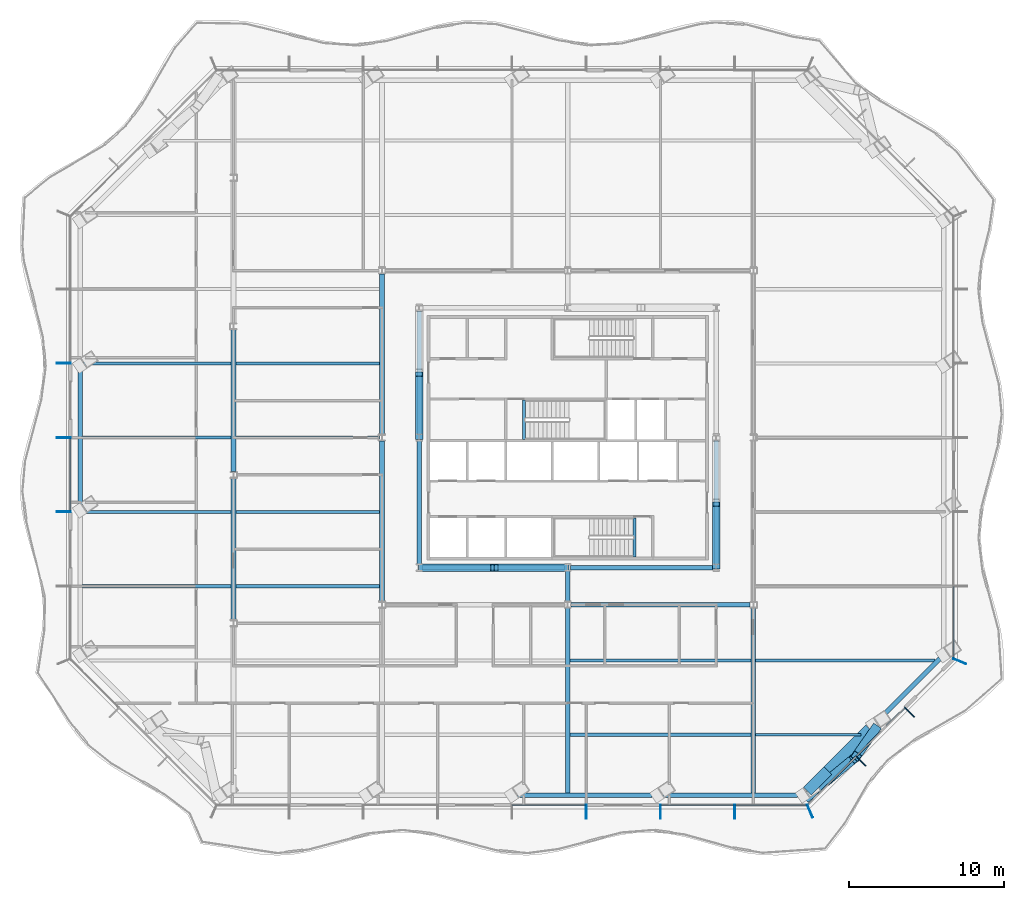
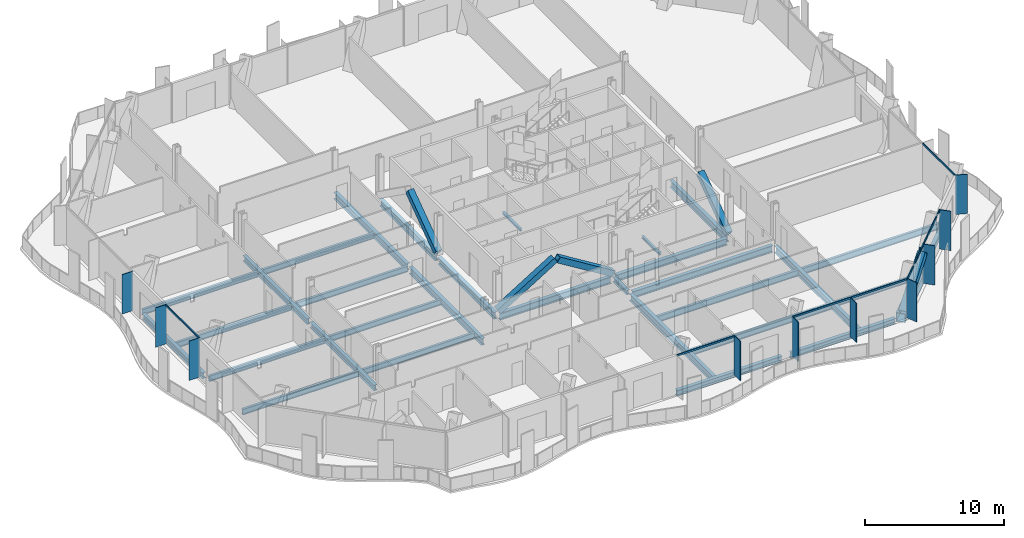
# One storey, part 2 of 20: 33 beams, 23 members, 4 elements without a shape of their own.
"""IFC4 building model written with IfcOpenShell, lengths in metres."""

from ifc_helpers import new_model, si_unit, direction, frame, origin, origin_2d, place, context, subcontext, project, spatial, rectangle, hollow_rectangle, i_section, extrude, material, material_profile, profile_set, type_object, element, aggregate, save


model = new_model("IFC4")

# Units and contexts
model_context = context("Model", 3, precision=1e-05, world=origin(), true_north=direction((0.0, 1.0)))
body_context = subcontext(model_context, "Body", "Model", "MODEL_VIEW")
ifc_project = project(units=[si_unit("LENGTHUNIT", "METRE"), si_unit("AREAUNIT", "SQUARE_METRE"), si_unit("VOLUMEUNIT", "CUBIC_METRE"), si_unit("PLANEANGLEUNIT", "RADIAN"), si_unit("MASSUNIT", "GRAM", prefix="KILO")], contexts=[model_context])

# Site, building, storey
site_placement = place(None, origin())
site = spatial("IfcSite", under=ifc_project, at=site_placement, CompositionType="ELEMENT")
building_placement = place(site_placement, origin())
building = spatial("IfcBuilding", under=site, at=building_placement, Name="Cairn Pilgrim Tower", CompositionType="ELEMENT")
storey_placement = place(building_placement, frame((0.0, 0.0, 101.39990234375)))
storey = spatial("IfcBuildingStorey", under=building, at=storey_placement, Name="L24", CompositionType="ELEMENT", Elevation=101.39990234375)

# Members
ifc_material_1 = material(Name="Structural steel S460M", Category="steel")
ifc_material_profile_1 = material_profile(ifc_material_1, hollow_rectangle(XDim=0.5, YDim=0.5, WallThickness=0.030029296875, at=origin_2d()), Name="BOX 500x500x30")
ifc_profile_set_1 = profile_set([ifc_material_profile_1], Name="Structural steel S460M")
member_type_1 = type_object("IfcMemberType", Name="BOX 500x500x30 BRACE", PredefinedType="BRACE", material=ifc_profile_set_1)
member_1_placement = place(storey_placement, frame((-2.356201171875, -6.0, 0.10009765625), z_axis=(0.850990224345, 0.0, 0.525181528683), x_axis=(0.0, 1.0, 0.0)))
element("IfcMember", 1, at=member_1_placement, inside=storey, type_object=member_type_1, Name="KB-1A", PredefinedType="BRACE", context=body_context, shape_type="SweptSolid", body=[
    extrude(hollow_rectangle(XDim=0.5, YDim=0.5, WallThickness=0.030029296875, at=origin_2d()), origin(), (0.0, 0.0, 1.0), 5.5263671875),
])
member_2_placement = place(storey_placement, frame((7.15625, -6.0, 0.10009765625), z_axis=(-0.851007515624, 0.0, 0.525153509321), x_axis=(0.0, -1.0, 0.0)))
element("IfcMember", 2, at=member_2_placement, inside=storey, type_object=member_type_1, Name="KB-1B", PredefinedType="BRACE", context=body_context, shape_type="SweptSolid", body=[
    extrude(hollow_rectangle(XDim=0.5, YDim=0.5, WallThickness=0.030029296875, at=origin_2d()), origin(), (0.0, 0.0, 1.0), 5.37646484375),
])
for number, where, z_axis, x_axis, name in (
    (3, (16.800048828125, -5.956298828125, 0.10009765625), (0.0, 0.814198726233, 0.580586284889), (-1.0, 0.0, 0.0), "KB-2A"),
    (4, (-2.39990234375, 2.443603515625, 0.10009765625), (0.0, 0.814198726233, 0.580586284889), (-1.0, 0.0, 0.0), "KB-4B"),
):
    element("IfcMember", number, at=place(storey_placement, frame(where, z_axis=z_axis, x_axis=x_axis)), inside=storey, type_object=member_type_1, Name=name, PredefinedType="BRACE", context=body_context, shape_type="SweptSolid", body=[
        extrude(hollow_rectangle(XDim=0.5, YDim=0.5, WallThickness=0.030029296875, at=origin_2d()), origin(), (0.0, 0.0, 1.0), 4.99658203125),
    ])
ifc_material_profile_2 = material_profile(ifc_material_1, hollow_rectangle(XDim=0.60009765625, YDim=0.60009765625, WallThickness=0.034912109375, at=origin_2d()), Name="BOX 600x600x35")
ifc_profile_set_2 = profile_set([ifc_material_profile_2], Name="Structural steel S460M")
member_type_2 = type_object("IfcMemberType", Name="BOX 600x600x35 BRACE", PredefinedType="BRACE", material=ifc_profile_set_2)
member_3_placement = place(storey_placement, frame((22.671142578125, -20.830810546875, 0.150146484375), z_axis=(0.638241628046, 0.524594909119, 0.563425066496), x_axis=(-0.634974285508, 0.772533272256, 0.0)))
element("IfcMember", 5, at=member_3_placement, inside=storey, type_object=member_type_2, Name="XB-SE1-SE2-1", PredefinedType="BRACE", context=body_context, shape_type="SweptSolid", body=[
    extrude(hollow_rectangle(XDim=0.60009765625, YDim=0.60009765625, WallThickness=0.034912109375, at=origin_2d()), origin(), (0.0, 0.0, 1.0), 4.721923828125),
])
member_4_placement = place(storey_placement, frame((27.094482421875, -16.40771484375, 0.150146484375), z_axis=(-0.361797572845, -0.518123711062, 0.77501634584), x_axis=(0.819892296649, -0.572517791772, 0.0)))
element("IfcMember", 6, at=member_4_placement, inside=storey, type_object=member_type_2, Name="XB-SE1-SE2-2", PredefinedType="BRACE", context=body_context, shape_type="SweptSolid", body=[
    extrude(hollow_rectangle(XDim=0.60009765625, YDim=0.60009765625, WallThickness=0.034912109375, at=origin_2d()), origin(), (0.0, 0.0, 1.0), 3.4326171875),
])

# Beams
ifc_material_2 = material(Name="Structural steel S355J2", Category="steel")
ifc_material_profile_3 = material_profile(ifc_material_2, hollow_rectangle(XDim=0.699951171875, YDim=0.800048828125, WallThickness=0.0400390625, at=origin_2d()), Name="BOX 700x800x40")
ifc_profile_set_3 = profile_set([ifc_material_profile_3], Name="Structural steel S355J2")
beam_type_1 = type_object("IfcBeamType", Name="BOX 700x800x40 RING GIRDER", PredefinedType="SPANDREL", material=ifc_profile_set_3)
beam_1_placement = place(storey_placement, frame((22.681884765625, -20.4453125, -0.5498046875), z_axis=(0.707106781187, 0.707106781187, 0.0), x_axis=(-0.707106781187, 0.707106781187, 0.0)))
element("IfcBeam", 7, at=beam_1_placement, inside=storey, type_object=beam_type_1, Name="RG1-SE1-SE2-1", PredefinedType="SPANDREL", context=body_context, shape_type="SweptSolid", body=[
    extrude(hollow_rectangle(XDim=0.699951171875, YDim=0.800048828125, WallThickness=0.0400390625, at=origin_2d()), origin(), (0.0, 0.0, 1.0), 1.88525390625),
])
beam_2_placement = place(storey_placement, frame((24.014892578125, -19.1123046875, -0.5498046875), z_axis=(0.707106781187, 0.707106781187, 0.0), x_axis=(-0.707106781187, 0.707106781187, 0.0)))
element("IfcBeam", 8, at=beam_2_placement, inside=storey, type_object=beam_type_1, Name="RG1-SE1-SE2-2", PredefinedType="SPANDREL", context=body_context, shape_type="SweptSolid", body=[
    extrude(hollow_rectangle(XDim=0.699951171875, YDim=0.800048828125, WallThickness=0.0400390625, at=origin_2d()), origin(), (0.0, 0.0, 1.0), 3.81005859375),
])

# Curtain wall, members
ifc_material_3 = material(Name="Aluminium alloy 6063-T6 bronze anodised with Bronze tinted laminated low-E glass 8+16+8.8", Category="aluminium")
curtain_wall_type_1 = type_object("IfcCurtainWallType", Name="TOWER STICK CURTAIN WALL NS", PredefinedType="NOTDEFINED", material=ifc_material_3)
curtain_wall_1_placement = place(storey_placement, origin())
curtain_wall_1 = element("IfcCurtainWall", 9, at=curtain_wall_1_placement, inside=storey, type_object=curtain_wall_type_1, Name="Tower Stick Curtain Wall Ns S", PredefinedType="NOTDEFINED")
ifc_material_4 = material(Name="Aluminium alloy 6063-T6 bronze anodised", Category="aluminium")
ifc_material_profile_4 = material_profile(ifc_material_4, rectangle(XDim=0.89990234375, YDim=0.06005859375, at=origin_2d()), Name="FIN MULLION 60x900 BRONZE")
ifc_profile_set_4 = profile_set([ifc_material_profile_4], Name="Aluminium alloy 6063-T6 bronze anodised")
member_type_3 = type_object("IfcMemberType", Name="FIN MULLION 60x900 BRONZE", PredefinedType="MULLION", material=ifc_profile_set_4)
member_5_placement = place(storey_placement, frame((8.39990234375, -21.77001953125, 0.0), z_axis=(0.0, 0.0, 1.0), x_axis=(0.0, -1.0, 0.0)))
member_5 = element("IfcMember", 10, at=member_5_placement, type_object=member_type_3, Name="Fin mullion S6", PredefinedType="MULLION", context=body_context, shape_type="SweptSolid", body=[
    extrude(rectangle(XDim=0.89990234375, YDim=0.06005859375, at=origin_2d()), origin(), (0.0, 0.0, 1.0), 3.4501953125),
])
member_6_placement = place(storey_placement, frame((13.199951171875, -21.77001953125, 0.0), z_axis=(0.0, 0.0, 1.0), x_axis=(0.0, -1.0, 0.0)))
member_6 = element("IfcMember", 11, at=member_6_placement, type_object=member_type_3, Name="Fin mullion S7", PredefinedType="MULLION", context=body_context, shape_type="SweptSolid", body=[
    extrude(rectangle(XDim=0.89990234375, YDim=0.06005859375, at=origin_2d()), origin(), (0.0, 0.0, 1.0), 3.4501953125),
])
member_7_placement = place(storey_placement, frame((18.0, -21.77001953125, 0.0), z_axis=(0.0, 0.0, 1.0), x_axis=(0.0, -1.0, 0.0)))
member_7 = element("IfcMember", 12, at=member_7_placement, type_object=member_type_3, Name="Fin mullion S8", PredefinedType="MULLION", context=body_context, shape_type="SweptSolid", body=[
    extrude(rectangle(XDim=0.89990234375, YDim=0.06005859375, at=origin_2d()), origin(), (0.0, 0.0, 1.0), 3.4501953125),
])

curtain_wall_type_2 = type_object("IfcCurtainWallType", Name="CHAMFER CORNER CURTAIN WALL", PredefinedType="NOTDEFINED", material=ifc_material_3)
curtain_wall_2_placement = place(storey_placement, origin())
curtain_wall_2 = element("IfcCurtainWall", 13, at=curtain_wall_2_placement, inside=storey, type_object=curtain_wall_type_2, Name="Chamfer Corner Curtain Wall SE", PredefinedType="NOTDEFINED")
member_8_placement = place(storey_placement, frame((22.857177734375, -21.738037109375, 0.0), z_axis=(0.0, 0.0, 1.0), x_axis=(0.382683432365, -0.923879532511, 0.0)))
member_8 = element("IfcMember", 14, at=member_8_placement, type_object=member_type_3, Name="Fin mullion SE1", PredefinedType="MULLION", context=body_context, shape_type="SweptSolid", body=[
    extrude(rectangle(XDim=0.89990234375, YDim=0.06005859375, at=origin_2d()), origin(), (0.0, 0.0, 1.0), 3.4501953125),
])
member_9_placement = place(storey_placement, frame((26.14453125, -18.495849609375, 0.0), z_axis=(0.0, 0.0, 1.0), x_axis=(0.707106781187, -0.707106781187, 0.0)))
member_9 = element("IfcMember", 15, at=member_9_placement, type_object=member_type_3, Name="Fin mullion SE2", PredefinedType="MULLION", context=body_context, shape_type="SweptSolid", body=[
    extrude(rectangle(XDim=0.89990234375, YDim=0.06005859375, at=origin_2d()), origin(), (0.0, 0.0, 1.0), 3.4501953125),
])
member_10_placement = place(storey_placement, frame((29.2958984375, -15.3447265625, 0.0), z_axis=(0.0, 0.0, 1.0), x_axis=(0.707106781187, -0.707106781187, 0.0)))
member_10 = element("IfcMember", 16, at=member_10_placement, type_object=member_type_3, Name="Fin mullion SE3", PredefinedType="MULLION", context=body_context, shape_type="SweptSolid", body=[
    extrude(rectangle(XDim=0.89990234375, YDim=0.06005859375, at=origin_2d()), origin(), (0.0, 0.0, 1.0), 3.4501953125),
])

# Curtain wall, member
curtain_wall_type_3 = type_object("IfcCurtainWallType", Name="TOWER STICK CURTAIN WALL EW", PredefinedType="NOTDEFINED", material=ifc_material_3)
curtain_wall_3_placement = place(storey_placement, origin())
curtain_wall_3 = element("IfcCurtainWall", 17, at=curtain_wall_3_placement, inside=storey, type_object=curtain_wall_type_3, Name="Tower Stick Curtain Wall Ew E", PredefinedType="NOTDEFINED")
member_11_placement = place(storey_placement, frame((32.5380859375, -12.05712890625, 0.0), z_axis=(0.0, 0.0, 1.0), x_axis=(0.923879532511, -0.382683432365, 0.0)))
member_11 = element("IfcMember", 18, at=member_11_placement, type_object=member_type_3, Name="Fin mullion E1", PredefinedType="MULLION", context=body_context, shape_type="SweptSolid", body=[
    extrude(rectangle(XDim=0.89990234375, YDim=0.06005859375, at=origin_2d()), origin(), (0.0, 0.0, 1.0), 3.4501953125),
])

# Curtain wall, members
curtain_wall_4_placement = place(storey_placement, origin())
curtain_wall_4 = element("IfcCurtainWall", 19, at=curtain_wall_4_placement, inside=storey, type_object=curtain_wall_type_3, Name="Tower Stick Curtain Wall Ew W", PredefinedType="NOTDEFINED")
member_12_placement = place(storey_placement, frame((-25.3701171875, 7.199951171875, 0.0), z_axis=(0.0, 0.0, 1.0), x_axis=(-1.0, 0.0, 0.0)))
member_12 = element("IfcMember", 20, at=member_12_placement, type_object=member_type_3, Name="Fin mullion W3", PredefinedType="MULLION", context=body_context, shape_type="SweptSolid", body=[
    extrude(rectangle(XDim=0.89990234375, YDim=0.06005859375, at=origin_2d()), origin(), (0.0, 0.0, 1.0), 3.4501953125),
])
member_13_placement = place(storey_placement, frame((-25.3701171875, 2.39990234375, 0.0), z_axis=(0.0, 0.0, 1.0), x_axis=(-1.0, 0.0, 0.0)))
member_13 = element("IfcMember", 21, at=member_13_placement, type_object=member_type_3, Name="Fin mullion W4", PredefinedType="MULLION", context=body_context, shape_type="SweptSolid", body=[
    extrude(rectangle(XDim=0.89990234375, YDim=0.06005859375, at=origin_2d()), origin(), (0.0, 0.0, 1.0), 3.4501953125),
])
member_14_placement = place(storey_placement, frame((-25.3701171875, -2.39990234375, 0.0), z_axis=(0.0, 0.0, 1.0), x_axis=(-1.0, 0.0, 0.0)))
member_14 = element("IfcMember", 22, at=member_14_placement, type_object=member_type_3, Name="Fin mullion W5", PredefinedType="MULLION", context=body_context, shape_type="SweptSolid", body=[
    extrude(rectangle(XDim=0.89990234375, YDim=0.06005859375, at=origin_2d()), origin(), (0.0, 0.0, 1.0), 3.4501953125),
])

# Beams
ifc_material_profile_5 = material_profile(ifc_material_2, i_section(OverallWidth=0.300048828125, OverallDepth=0.39990234375, WebThickness=0.013427734375, FlangeThickness=0.02392578125, FilletRadius=0.027099609375, at=origin_2d()), Name="HEB 400")
ifc_profile_set_5 = profile_set([ifc_material_profile_5], Name="Structural steel S355J2")
beam_type_2 = type_object("IfcBeamType", Name="HEB 400 GIRDER", PredefinedType="BEAM", material=ifc_profile_set_5)
beam_3_placement = place(storey_placement, frame((7.199951171875, -8.195556640625, -0.349853515625), z_axis=(0.0, 1.0, 0.0), x_axis=(-1.0, 0.0, 0.0)))
element("IfcBeam", 23, at=beam_3_placement, inside=storey, type_object=beam_type_2, Name="PG3-E1", PredefinedType="BEAM", context=body_context, shape_type="SweptSolid", body=[
    extrude(i_section(OverallWidth=0.300048828125, OverallDepth=0.39990234375, WebThickness=0.013427734375, FlangeThickness=0.02392578125, FilletRadius=0.027099609375, at=origin_2d()), origin(), (0.0, 0.0, 1.0), 1.97705078125),
])
ifc_material_profile_6 = material_profile(ifc_material_2, i_section(OverallWidth=0.300048828125, OverallDepth=0.5, WebThickness=0.014404296875, FlangeThickness=0.028076171875, FilletRadius=0.027099609375, at=origin_2d()), Name="HEB 500")
ifc_profile_set_6 = profile_set([ifc_material_profile_6], Name="Structural steel S355J2")
beam_type_3 = type_object("IfcBeamType", Name="HEB 500 GIRDER", PredefinedType="BEAM", material=ifc_profile_set_6)
for number, where, z_axis, x_axis, name in (
    (24, (-14.39990234375, -9.3955078125, -0.39990234375), (0.0, 1.0, 0.0), (-1.0, 0.0, 0.0), "PG1-2"),
    (25, (-14.39990234375, 0.20458984375, -0.39990234375), (0.0, 1.0, 0.0), (-1.0, 0.0, 0.0), "PG1-3"),
):
    element("IfcBeam", number, at=place(storey_placement, frame(where, z_axis=z_axis, x_axis=x_axis)), inside=storey, type_object=beam_type_3, Name=name, PredefinedType="BEAM", context=body_context, shape_type="SweptSolid", body=[
        extrude(i_section(OverallWidth=0.300048828125, OverallDepth=0.5, WebThickness=0.014404296875, FlangeThickness=0.028076171875, FilletRadius=0.027099609375, at=origin_2d()), origin(), (0.0, 0.0, 1.0), 9.19091796875),
    ])
ifc_material_profile_7 = material_profile(ifc_material_2, i_section(OverallWidth=0.300048828125, OverallDepth=0.5, WebThickness=0.014404296875, FlangeThickness=0.028076171875, FilletRadius=0.027099609375, at=origin_2d()), Name="HEB 500")
ifc_profile_set_7 = profile_set([ifc_material_profile_7], Name="Structural steel S355J2")
beam_type_4 = type_object("IfcBeamType", Name="HEB 500 RING GIRDER", PredefinedType="SPANDREL", material=ifc_profile_set_7)
for number, where, z_axis, x_axis, name in (
    (26, (3.9599609375, -20.699951171875, -0.39990234375), (1.0, 0.0, 0.0), (0.0, 1.0, 0.0), "RG1-S3-S4"),
    (27, (13.37353515625, -20.699951171875, -0.39990234375), (1.0, 0.0, 0.0), (0.0, 1.0, 0.0), "RG1-S4-SE1"),
):
    element("IfcBeam", number, at=place(storey_placement, frame(where, z_axis=z_axis, x_axis=x_axis)), inside=storey, type_object=beam_type_4, Name=name, PredefinedType="SPANDREL", context=body_context, shape_type="SweptSolid", body=[
        extrude(i_section(OverallWidth=0.300048828125, OverallDepth=0.5, WebThickness=0.014404296875, FlangeThickness=0.028076171875, FilletRadius=0.027099609375, at=origin_2d()), origin(), (0.0, 0.0, 1.0), 8.693603515625),
    ])
beam_4_placement = place(storey_placement, frame((27.21826171875, -15.908935546875, -0.39990234375), z_axis=(0.707106781187, 0.707106781187, 0.0), x_axis=(-0.707106781187, 0.707106781187, 0.0)))
element("IfcBeam", 28, at=beam_4_placement, inside=storey, type_object=beam_type_4, Name="RG1-SE2-E1", PredefinedType="SPANDREL", context=body_context, shape_type="SweptSolid", body=[
    extrude(i_section(OverallWidth=0.300048828125, OverallDepth=0.5, WebThickness=0.014404296875, FlangeThickness=0.028076171875, FilletRadius=0.027099609375, at=origin_2d()), origin(), (0.0, 0.0, 1.0), 5.695068359375),
])
beam_5_placement = place(storey_placement, frame((-24.300048828125, 6.7158203125, -0.39990234375), z_axis=(0.0, -1.0, 0.0), x_axis=(1.0, 0.0, 0.0)))
element("IfcBeam", 29, at=beam_5_placement, inside=storey, type_object=beam_type_4, Name="RG1-W2-W3", PredefinedType="SPANDREL", context=body_context, shape_type="SweptSolid", body=[
    extrude(i_section(OverallWidth=0.300048828125, OverallDepth=0.5, WebThickness=0.014404296875, FlangeThickness=0.028076171875, FilletRadius=0.027099609375, at=origin_2d()), origin(), (0.0, 0.0, 1.0), 8.631591796875),
])
ifc_material_profile_8 = material_profile(ifc_material_2, i_section(OverallWidth=0.300048828125, OverallDepth=0.60009765625, WebThickness=0.015380859375, FlangeThickness=0.030029296875, FilletRadius=0.027099609375, at=origin_2d()), Name="HEB 600")
ifc_profile_set_8 = profile_set([ifc_material_profile_8], Name="Structural steel S355J2")
beam_type_5 = type_object("IfcBeamType", Name="HEB 600 CORE BEAM", PredefinedType="BEAM", material=ifc_profile_set_8)
beam_6_placement = place(storey_placement, frame((-2.203369140625, -6.0, -0.449951171875), z_axis=(1.0, 0.0, 0.0), x_axis=(0.0, 1.0, 0.0)))
element("IfcBeam", 30, at=beam_6_placement, inside=storey, type_object=beam_type_5, Name="CB-1", PredefinedType="BEAM", context=body_context, shape_type="SweptSolid", body=[
    extrude(i_section(OverallWidth=0.300048828125, OverallDepth=0.60009765625, WebThickness=0.015380859375, FlangeThickness=0.030029296875, FilletRadius=0.027099609375, at=origin_2d()), origin(), (0.0, 0.0, 1.0), 9.206787109375),
])
beam_7_placement = place(storey_placement, frame((7.396728515625, -6.0, -0.449951171875), z_axis=(1.0, 0.0, 0.0), x_axis=(0.0, 1.0, 0.0)))
element("IfcBeam", 31, at=beam_7_placement, inside=storey, type_object=beam_type_5, Name="CB-2", PredefinedType="BEAM", context=body_context, shape_type="SweptSolid", body=[
    extrude(i_section(OverallWidth=0.300048828125, OverallDepth=0.60009765625, WebThickness=0.015380859375, FlangeThickness=0.030029296875, FilletRadius=0.027099609375, at=origin_2d()), origin(), (0.0, 0.0, 1.0), 9.20654296875),
])
for number, where, z_axis, x_axis, name in (
    (32, (16.800048828125, -5.803466796875, -0.449951171875), (0.0, 1.0, 0.0), (-1.0, 0.0, 0.0), "CB-3"),
    (33, (-2.39990234375, 10.603515625, -0.449951171875), (0.0, -1.0, 0.0), (1.0, 0.0, 0.0), "CB-7"),
    (34, (-2.39990234375, 2.203369140625, -0.449951171875), (0.0, -1.0, 0.0), (1.0, 0.0, 0.0), "CB-8"),
):
    element("IfcBeam", number, at=place(storey_placement, frame(where, z_axis=z_axis, x_axis=x_axis)), inside=storey, type_object=beam_type_5, Name=name, PredefinedType="BEAM", context=body_context, shape_type="SweptSolid", body=[
        extrude(i_section(OverallWidth=0.300048828125, OverallDepth=0.60009765625, WebThickness=0.015380859375, FlangeThickness=0.030029296875, FilletRadius=0.027099609375, at=origin_2d()), origin(), (0.0, 0.0, 1.0), 8.0068359375),
    ])
ifc_material_profile_9 = material_profile(ifc_material_2, i_section(OverallWidth=0.300048828125, OverallDepth=0.60009765625, WebThickness=0.015380859375, FlangeThickness=0.030029296875, FilletRadius=0.027099609375, at=origin_2d()), Name="HEB 600")
ifc_profile_set_9 = profile_set([ifc_material_profile_9], Name="Structural steel S355J2")
beam_type_6 = type_object("IfcBeamType", Name="HEB 600 GIRDER", PredefinedType="BEAM", material=ifc_profile_set_9)
for number, where, z_axis, x_axis, name in (
    (35, (-4.800048828125, -8.195556640625, -0.449951171875), (0.0, 1.0, 0.0), (-1.0, 0.0, 0.0), "PG2-2"),
    (36, (-4.800048828125, 2.6044921875, -0.449951171875), (0.0, 1.0, 0.0), (-1.0, 0.0, 0.0), "PG2-3"),
):
    element("IfcBeam", number, at=place(storey_placement, frame(where, z_axis=z_axis, x_axis=x_axis)), inside=storey, type_object=beam_type_6, Name=name, PredefinedType="BEAM", context=body_context, shape_type="SweptSolid", body=[
        extrude(i_section(OverallWidth=0.300048828125, OverallDepth=0.60009765625, WebThickness=0.015380859375, FlangeThickness=0.030029296875, FilletRadius=0.027099609375, at=origin_2d()), origin(), (0.0, 0.0, 1.0), 10.39111328125),
    ])
for number, where, z_axis, x_axis, name in (
    (37, (7.199951171875, -20.580078125, -0.449951171875), (0.0, 1.0, 0.0), (-1.0, 0.0, 0.0), "PG3-1"),
    (38, (19.199951171875, -20.580078125, -0.449951171875), (0.0, 1.0, 0.0), (-1.0, 0.0, 0.0), "PG4-1"),
):
    element("IfcBeam", number, at=place(storey_placement, frame(where, z_axis=z_axis, x_axis=x_axis)), inside=storey, type_object=beam_type_6, Name=name, PredefinedType="BEAM", context=body_context, shape_type="SweptSolid", body=[
        extrude(i_section(OverallWidth=0.300048828125, OverallDepth=0.60009765625, WebThickness=0.015380859375, FlangeThickness=0.030029296875, FilletRadius=0.027099609375, at=origin_2d()), origin(), (0.0, 0.0, 1.0), 11.9755859375),
    ])
ifc_material_profile_10 = material_profile(ifc_material_2, i_section(OverallWidth=0.300048828125, OverallDepth=0.60009765625, WebThickness=0.015380859375, FlangeThickness=0.030029296875, FilletRadius=0.027099609375, at=origin_2d()), Name="HEB 600")
ifc_profile_set_10 = profile_set([ifc_material_profile_10], Name="Structural steel S355J2")
beam_type_7 = type_object("IfcBeamType", Name="HEB 600 INNER GIRDER", PredefinedType="BEAM", material=ifc_profile_set_10)
beam_8_placement = place(storey_placement, frame((7.404541015625, -8.39990234375, -0.449951171875), z_axis=(1.0, 0.0, 0.0), x_axis=(0.0, 1.0, 0.0)))
element("IfcBeam", 39, at=beam_8_placement, inside=storey, type_object=beam_type_7, Name="IG1-2", PredefinedType="BEAM", context=body_context, shape_type="SweptSolid", body=[
    extrude(i_section(OverallWidth=0.300048828125, OverallDepth=0.60009765625, WebThickness=0.015380859375, FlangeThickness=0.030029296875, FilletRadius=0.027099609375, at=origin_2d()), origin(), (0.0, 0.0, 1.0), 11.591064453125),
])
ifc_material_profile_11 = material_profile(ifc_material_2, i_section(OverallWidth=0.18994140625, OverallDepth=0.449951171875, WebThickness=0.009521484375, FlangeThickness=0.0146484375, FilletRadius=0.02099609375, at=origin_2d()), Name="IPE 450")
ifc_profile_set_11 = profile_set([ifc_material_profile_11], Name="Structural steel S355J2")
beam_type_8 = type_object("IfcBeamType", Name="IPE 450 SECONDARY BEAM", PredefinedType="JOIST", material=ifc_profile_set_11)
beam_9_placement = place(storey_placement, frame((19.35009765625, -16.800048828125, -0.375), z_axis=(1.0, 0.0, 0.0), x_axis=(0.0, 1.0, 0.0)))
element("IfcBeam", 40, at=beam_9_placement, inside=storey, type_object=beam_type_8, Name="SB1-5", PredefinedType="JOIST", context=body_context, shape_type="SweptSolid", body=[
    extrude(i_section(OverallWidth=0.18994140625, OverallDepth=0.449951171875, WebThickness=0.009521484375, FlangeThickness=0.0146484375, FilletRadius=0.02099609375, at=origin_2d()), origin(), (0.0, 0.0, 1.0), 6.794921875),
])
ifc_material_profile_12 = material_profile(ifc_material_2, i_section(OverallWidth=0.199951171875, OverallDepth=0.5, WebThickness=0.01025390625, FlangeThickness=0.01611328125, FilletRadius=0.02099609375, at=origin_2d()), Name="IPE 500")
ifc_profile_set_12 = profile_set([ifc_material_profile_12], Name="Structural steel S355J2")
beam_type_9 = type_object("IfcBeamType", Name="IPE 500 SECONDARY BEAM", PredefinedType="JOIST", material=ifc_profile_set_12)
beam_10_placement = place(storey_placement, frame((-24.179931640625, -7.199951171875, -0.39990234375), z_axis=(1.0, 0.0, 0.0), x_axis=(0.0, 1.0, 0.0)))
element("IfcBeam", 41, at=beam_10_placement, inside=storey, type_object=beam_type_9, Name="SB3-1", PredefinedType="JOIST", context=body_context, shape_type="SweptSolid", body=[
    extrude(i_section(OverallWidth=0.199951171875, OverallDepth=0.5, WebThickness=0.01025390625, FlangeThickness=0.01611328125, FilletRadius=0.02099609375, at=origin_2d()), origin(), (0.0, 0.0, 1.0), 9.6298828125),
])
beam_11_placement = place(storey_placement, frame((-14.25, -7.199951171875, -0.39990234375), z_axis=(1.0, 0.0, 0.0), x_axis=(0.0, 1.0, 0.0)))
element("IfcBeam", 42, at=beam_11_placement, inside=storey, type_object=beam_type_9, Name="SB3-2", PredefinedType="JOIST", context=body_context, shape_type="SweptSolid", body=[
    extrude(i_section(OverallWidth=0.199951171875, OverallDepth=0.5, WebThickness=0.01025390625, FlangeThickness=0.01611328125, FilletRadius=0.02099609375, at=origin_2d()), origin(), (0.0, 0.0, 1.0), 9.300048828125),
])
beam_12_placement = place(storey_placement, frame((-24.179931640625, -2.39990234375, -0.39990234375), z_axis=(1.0, 0.0, 0.0), x_axis=(0.0, 1.0, 0.0)))
element("IfcBeam", 43, at=beam_12_placement, inside=storey, type_object=beam_type_9, Name="SB4-1", PredefinedType="JOIST", context=body_context, shape_type="SweptSolid", body=[
    extrude(i_section(OverallWidth=0.199951171875, OverallDepth=0.5, WebThickness=0.01025390625, FlangeThickness=0.01611328125, FilletRadius=0.02099609375, at=origin_2d()), origin(), (0.0, 0.0, 1.0), 9.6298828125),
])
beam_13_placement = place(storey_placement, frame((-14.25, -2.39990234375, -0.39990234375), z_axis=(1.0, 0.0, 0.0), x_axis=(0.0, 1.0, 0.0)))
element("IfcBeam", 44, at=beam_13_placement, inside=storey, type_object=beam_type_9, Name="SB4-2", PredefinedType="JOIST", context=body_context, shape_type="SweptSolid", body=[
    extrude(i_section(OverallWidth=0.199951171875, OverallDepth=0.5, WebThickness=0.01025390625, FlangeThickness=0.01611328125, FilletRadius=0.02099609375, at=origin_2d()), origin(), (0.0, 0.0, 1.0), 9.300048828125),
])
beam_14_placement = place(storey_placement, frame((-24.179931640625, 2.39990234375, -0.39990234375), z_axis=(1.0, 0.0, 0.0), x_axis=(0.0, 1.0, 0.0)))
element("IfcBeam", 45, at=beam_14_placement, inside=storey, type_object=beam_type_9, Name="SB5-1", PredefinedType="JOIST", context=body_context, shape_type="SweptSolid", body=[
    extrude(i_section(OverallWidth=0.199951171875, OverallDepth=0.5, WebThickness=0.01025390625, FlangeThickness=0.01611328125, FilletRadius=0.02099609375, at=origin_2d()), origin(), (0.0, 0.0, 1.0), 9.6298828125),
])
beam_15_placement = place(storey_placement, frame((-14.25, 2.39990234375, -0.39990234375), z_axis=(1.0, 0.0, 0.0), x_axis=(0.0, 1.0, 0.0)))
element("IfcBeam", 46, at=beam_15_placement, inside=storey, type_object=beam_type_9, Name="SB5-2", PredefinedType="JOIST", context=body_context, shape_type="SweptSolid", body=[
    extrude(i_section(OverallWidth=0.199951171875, OverallDepth=0.5, WebThickness=0.01025390625, FlangeThickness=0.01611328125, FilletRadius=0.02099609375, at=origin_2d()), origin(), (0.0, 0.0, 1.0), 9.300048828125),
])
beam_16_placement = place(storey_placement, frame((-24.179931640625, 7.199951171875, -0.39990234375), z_axis=(1.0, 0.0, 0.0), x_axis=(0.0, 1.0, 0.0)))
element("IfcBeam", 47, at=beam_16_placement, inside=storey, type_object=beam_type_9, Name="SB6-1", PredefinedType="JOIST", context=body_context, shape_type="SweptSolid", body=[
    extrude(i_section(OverallWidth=0.199951171875, OverallDepth=0.5, WebThickness=0.01025390625, FlangeThickness=0.01611328125, FilletRadius=0.02099609375, at=origin_2d()), origin(), (0.0, 0.0, 1.0), 9.6298828125),
])
beam_17_placement = place(storey_placement, frame((-14.25, 7.199951171875, -0.39990234375), z_axis=(1.0, 0.0, 0.0), x_axis=(0.0, 1.0, 0.0)))
element("IfcBeam", 48, at=beam_17_placement, inside=storey, type_object=beam_type_9, Name="SB6-2", PredefinedType="JOIST", context=body_context, shape_type="SweptSolid", body=[
    extrude(i_section(OverallWidth=0.199951171875, OverallDepth=0.5, WebThickness=0.01025390625, FlangeThickness=0.01611328125, FilletRadius=0.02099609375, at=origin_2d()), origin(), (0.0, 0.0, 1.0), 9.300048828125),
])
ifc_material_profile_13 = material_profile(ifc_material_2, i_section(OverallWidth=0.2099609375, OverallDepth=0.550048828125, WebThickness=0.010986328125, FlangeThickness=0.01708984375, FilletRadius=0.02392578125, at=origin_2d()), Name="IPE 550")
ifc_profile_set_13 = profile_set([ifc_material_profile_13], Name="Structural steel S355J2")
beam_type_10 = type_object("IfcBeamType", Name="IPE 550 SECONDARY BEAM", PredefinedType="JOIST", material=ifc_profile_set_13)
for number, where, z_axis, x_axis, name in (
    (49, (7.35009765625, -16.800048828125, -0.4248046875), (1.0, 0.0, 0.0), (0.0, 1.0, 0.0), "SB1-4"),
    (50, (7.35009765625, -12.0, -0.4248046875), (1.0, 0.0, 0.0), (0.0, 1.0, 0.0), "SB2-4"),
):
    element("IfcBeam", number, at=place(storey_placement, frame(where, z_axis=z_axis, x_axis=x_axis)), inside=storey, type_object=beam_type_10, Name=name, PredefinedType="JOIST", context=body_context, shape_type="SweptSolid", body=[
        extrude(i_section(OverallWidth=0.2099609375, OverallDepth=0.550048828125, WebThickness=0.010986328125, FlangeThickness=0.01708984375, FilletRadius=0.02392578125, at=origin_2d()), origin(), (0.0, 0.0, 1.0), 11.699951171875),
    ])
beam_18_placement = place(storey_placement, frame((19.35009765625, -12.0, -0.4248046875), z_axis=(1.0, 0.0, 0.0), x_axis=(0.0, 1.0, 0.0)))
element("IfcBeam", 51, at=beam_18_placement, inside=storey, type_object=beam_type_10, Name="SB2-5", PredefinedType="JOIST", context=body_context, shape_type="SweptSolid", body=[
    extrude(i_section(OverallWidth=0.2099609375, OverallDepth=0.550048828125, WebThickness=0.010986328125, FlangeThickness=0.01708984375, FilletRadius=0.02392578125, at=origin_2d()), origin(), (0.0, 0.0, 1.0), 11.594970703125),
])
ifc_material_profile_14 = material_profile(ifc_material_2, i_section(OverallWidth=0.199951171875, OverallDepth=0.199951171875, WebThickness=0.009033203125, FlangeThickness=0.014892578125, FilletRadius=0.01806640625, at=origin_2d()), Name="HE 200 B")
ifc_profile_set_14 = profile_set([ifc_material_profile_14], Name="Structural steel S355J2")
beam_type_11 = type_object("IfcBeamType", Name="STAIR LANDING BEAM HE 200 B", PredefinedType="BEAM", material=ifc_profile_set_14)
beam_19_placement = place(storey_placement, frame((11.5244140625, -2.77490234375, -0.25), z_axis=(0.0, -1.0, 0.0), x_axis=(1.0, 0.0, 0.0)))
element("IfcBeam", 52, at=beam_19_placement, inside=storey, type_object=beam_type_11, Name="STAIR LANDING BEAM LD-HE200B", PredefinedType="BEAM", context=body_context, shape_type="SweptSolid", body=[
    extrude(i_section(OverallWidth=0.199951171875, OverallDepth=0.199951171875, WebThickness=0.009033203125, FlangeThickness=0.014892578125, FilletRadius=0.01806640625, at=origin_2d()), origin(), (0.0, 0.0, 1.0), 2.525146484375),
])
beam_20_placement = place(storey_placement, frame((4.37548828125, 2.27490234375, -0.25), z_axis=(0.0, 1.0, 0.0), x_axis=(-1.0, 0.0, 0.0)))
element("IfcBeam", 53, at=beam_20_placement, inside=storey, type_object=beam_type_11, Name="STAIR LANDING BEAM LD-HE200B", PredefinedType="BEAM", context=body_context, shape_type="SweptSolid", body=[
    extrude(i_section(OverallWidth=0.199951171875, OverallDepth=0.199951171875, WebThickness=0.009033203125, FlangeThickness=0.014892578125, FilletRadius=0.01806640625, at=origin_2d()), origin(), (0.0, 0.0, 1.0), 2.550048828125),
])

# Member
ifc_material_profile_15 = material_profile(ifc_material_4, rectangle(XDim=0.080078125, YDim=0.14990234375, at=origin_2d()), Name="TRANSOM 80x150 BRONZE")
ifc_profile_set_15 = profile_set([ifc_material_profile_15], Name="Aluminium alloy 6063-T6 bronze anodised")
member_type_4 = type_object("IfcMemberType", Name="TRANSOM 80x150 BRONZE", PredefinedType="USERDEFINED", material=ifc_profile_set_15)
member_15_placement = place(storey_placement, frame((3.6298828125, -21.35009765625, 3.375), z_axis=(1.0, 0.0, 0.0), x_axis=(0.0, 1.0, 0.0)))
member_15 = element("IfcMember", 54, at=member_15_placement, type_object=member_type_4, Name="Transom S5", ObjectType="TRANSOM", PredefinedType="USERDEFINED", context=body_context, shape_type="SweptSolid", body=[
    extrude(rectangle(XDim=0.080078125, YDim=0.14990234375, at=origin_2d()), origin(), (0.0, 0.0, 1.0), 4.740234375),
])

member_16_placement = place(storey_placement, frame((13.22998046875, -21.35009765625, 3.375), z_axis=(1.0, 0.0, 0.0), x_axis=(0.0, 1.0, 0.0)))
member_16 = element("IfcMember", 55, at=member_16_placement, type_object=member_type_4, Name="Transom S7", ObjectType="TRANSOM", PredefinedType="USERDEFINED", context=body_context, shape_type="SweptSolid", body=[
    extrude(rectangle(XDim=0.080078125, YDim=0.14990234375, at=origin_2d()), origin(), (0.0, 0.0, 1.0), 4.739990234375),
])

member_17_placement = place(storey_placement, frame((18.030029296875, -21.35009765625, 3.375), z_axis=(1.0, 0.0, 0.0), x_axis=(0.0, 1.0, 0.0)))
member_17 = element("IfcMember", 56, at=member_17_placement, type_object=member_type_4, Name="Transom S8", ObjectType="TRANSOM", PredefinedType="USERDEFINED", context=body_context, shape_type="SweptSolid", body=[
    extrude(rectangle(XDim=0.080078125, YDim=0.14990234375, at=origin_2d()), origin(), (0.0, 0.0, 1.0), 4.62646484375),
])

aggregate(curtain_wall_1, [member_5, member_6, member_7, member_15, member_16, member_17])

member_18_placement = place(storey_placement, frame((22.724609375, -21.32177734375, 3.375), z_axis=(0.707106781187, 0.707106781187, 0.0), x_axis=(-0.707106781187, 0.707106781187, 0.0)))
member_18 = element("IfcMember", 57, at=member_18_placement, type_object=member_type_4, Name="Transom SE1", ObjectType="TRANSOM", PredefinedType="USERDEFINED", context=body_context, shape_type="SweptSolid", body=[
    extrude(rectangle(XDim=0.080078125, YDim=0.14990234375, at=origin_2d()), origin(), (0.0, 0.0, 1.0), 4.38671875),
])

member_19_placement = place(storey_placement, frame((25.868896484375, -18.177490234375, 3.375), z_axis=(0.707106781187, 0.707106781187, 0.0), x_axis=(-0.707106781187, 0.707106781187, 0.0)))
member_19 = element("IfcMember", 58, at=member_19_placement, type_object=member_type_4, Name="Transom SE2", ObjectType="TRANSOM", PredefinedType="USERDEFINED", context=body_context, shape_type="SweptSolid", body=[
    extrude(rectangle(XDim=0.080078125, YDim=0.14990234375, at=origin_2d()), origin(), (0.0, 0.0, 1.0), 4.396240234375),
])

aggregate(curtain_wall_2, [member_8, member_9, member_10, member_18, member_19])

member_20_placement = place(storey_placement, frame((32.14990234375, -11.8564453125, 3.375), z_axis=(0.0, 1.0, 0.0), x_axis=(-1.0, 0.0, 0.0)))
member_20 = element("IfcMember", 59, at=member_20_placement, type_object=member_type_4, Name="Transom E1", ObjectType="TRANSOM", PredefinedType="USERDEFINED", context=body_context, shape_type="SweptSolid", body=[
    extrude(rectangle(XDim=0.080078125, YDim=0.14990234375, at=origin_2d()), origin(), (0.0, 0.0, 1.0), 4.62646484375),
])

aggregate(curtain_wall_3, [member_11, member_20])

member_21_placement = place(storey_placement, frame((-24.949951171875, 2.3701171875, 3.375), z_axis=(0.0, -1.0, 0.0), x_axis=(1.0, 0.0, 0.0)))
member_21 = element("IfcMember", 60, at=member_21_placement, type_object=member_type_4, Name="Transom W4", ObjectType="TRANSOM", PredefinedType="USERDEFINED", context=body_context, shape_type="SweptSolid", body=[
    extrude(rectangle(XDim=0.080078125, YDim=0.14990234375, at=origin_2d()), origin(), (0.0, 0.0, 1.0), 4.740234375),
])

aggregate(curtain_wall_4, [member_12, member_13, member_14, member_21])

save(model, "model.ifc")
